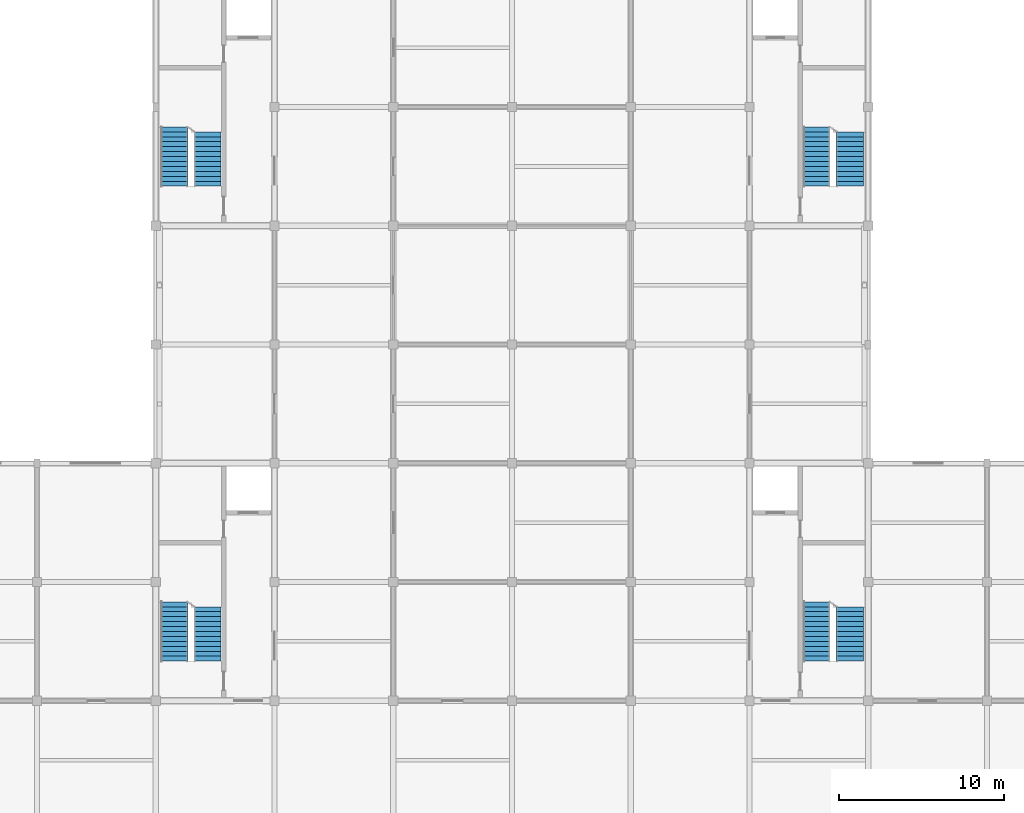
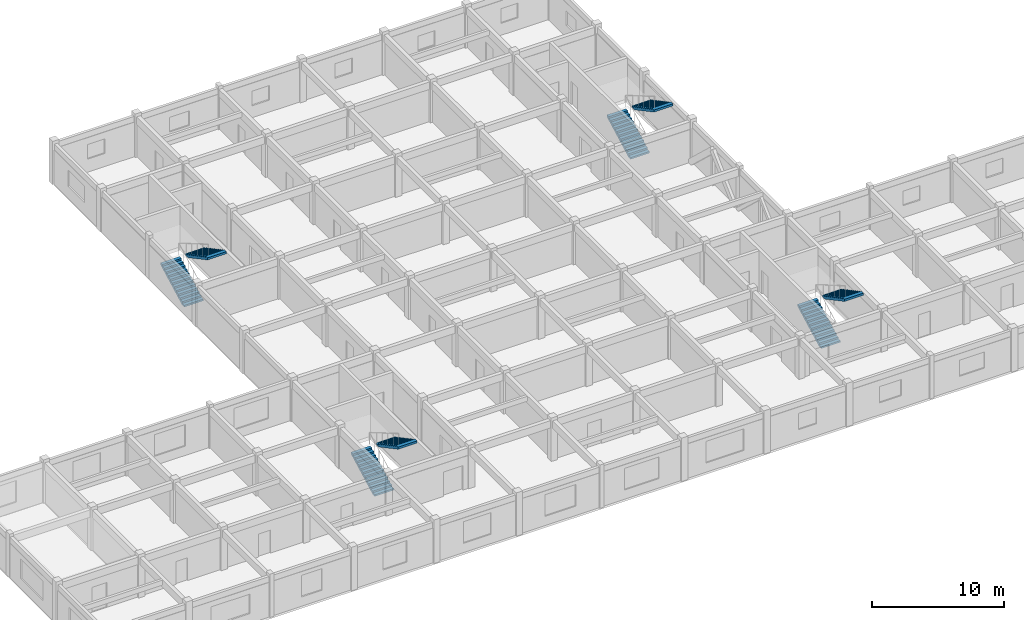
# One storey, part 9 of 10: 8 stair flights, 4 elements without a shape of their own.
"""IFC4 building model written with IfcOpenShell, lengths in metres."""

from ifc_helpers import new_model, si_unit, direction, frame, origin, place, context, subcontext, project, spatial, polyline, outline, extrude, material, type_object, element, aggregate, save


model = new_model("IFC4")

# Units and contexts
model_context = context("Model", 3, precision=1e-05, world=origin(), true_north=direction((0.0, 1.0)))
body_context = subcontext(model_context, "Body", "Model", "MODEL_VIEW")
ifc_project = project(units=[si_unit("LENGTHUNIT", "METRE"), si_unit("AREAUNIT", "SQUARE_METRE"), si_unit("VOLUMEUNIT", "CUBIC_METRE"), si_unit("PLANEANGLEUNIT", "RADIAN"), si_unit("MASSUNIT", "GRAM", prefix="KILO")], contexts=[model_context])

# Site, building, storey
site_placement = place(None, origin())
site = spatial("IfcSite", under=ifc_project, at=site_placement, CompositionType="ELEMENT")
building_placement = place(site_placement, origin())
building = spatial("IfcBuilding", under=site, at=building_placement, Name="Cendaluz Park School", CompositionType="ELEMENT")
storey_placement = place(building_placement, frame((0.0, 0.0, 34.800048828125)))
storey = spatial("IfcBuildingStorey", under=building, at=storey_placement, Name="L08", CompositionType="ELEMENT", Elevation=34.800048828125)

# Stair, stair flight
ifc_material = material(Name="Cross-laminated timber CLT C24", Category="wood")
stair_type = type_object("IfcStairType", Name="ST-400-165", PredefinedType="HALF_TURN_STAIR", material=ifc_material)
stair_1_placement = place(storey_placement, origin())
stair_1 = element("IfcStair", 1, at=stair_1_placement, inside=storey, type_object=stair_type, Name="ST-L08-C1", PredefinedType="HALF_TURN_STAIR")
stair_flight_type_1 = type_object("IfcStairFlightType", Name="SF-12-160-165", PredefinedType="STRAIGHT", material=ifc_material)
stair_flight_1_placement = place(storey_placement, frame((67.93505859375, 20.10009765625, 2.079833984375), z_axis=(0.0, 0.0, 1.0), x_axis=(0.0, -1.0, 0.0)))
stair_flight_1 = element("IfcStairFlight", 2, at=stair_flight_1_placement, type_object=stair_flight_type_1, Name="SF-L08-C1-2", NumberOfRisers=12, NumberOfTreads=11, PredefinedType="STRAIGHT", RiserHeight=0.16, TreadLength=0.3, context=body_context, shape_type="SweptSolid", body=[
    extrude(outline(polyline([(0.0, 0.0), (0.0, 0.159912109375), (0.300048828125, 0.159912109375), (0.300048828125, 0.320068359375), (0.60009765625, 0.320068359375), (0.60009765625, 0.47998046875), (0.89990234375, 0.47998046875), (0.89990234375, 0.639892578125), (1.199951171875, 0.639892578125), (1.199951171875, 0.800048828125), (1.5, 0.800048828125), (1.5, 0.9599609375), (1.800048828125, 0.9599609375), (1.800048828125, 1.1201171875), (2.10009765625, 1.1201171875), (2.10009765625, 1.280029296875), (2.39990234375, 1.280029296875), (2.39990234375, 1.43994140625), (2.699951171875, 1.43994140625), (2.699951171875, 1.60009765625), (3.0, 1.60009765625), (3.0, 1.760009765625), (3.300048828125, 1.760009765625), (3.300048828125, 1.919921875), (3.300048828125, 1.55615234375), (0.38232421875, 0.0), (0.0, 0.0)])), frame((0.0, 0.824951171875, 0.0), z_axis=(0.0, -1.0, 0.0), x_axis=(1.0, 0.0, 0.0)), (0.0, 0.0, 1.0), 1.64990234375),
])

stair_2_placement = place(storey_placement, origin())
stair_2 = element("IfcStair", 3, at=stair_2_placement, inside=storey, type_object=stair_type, Name="ST-L08-C2", PredefinedType="HALF_TURN_STAIR")
stair_flight_2_placement = place(storey_placement, frame((106.885009765625, 20.10009765625, 2.079833984375), z_axis=(0.0, 0.0, 1.0), x_axis=(0.0, -1.0, 0.0)))
stair_flight_2 = element("IfcStairFlight", 4, at=stair_flight_2_placement, type_object=stair_flight_type_1, Name="SF-L08-C2-2", NumberOfRisers=12, NumberOfTreads=11, PredefinedType="STRAIGHT", RiserHeight=0.16, TreadLength=0.3, context=body_context, shape_type="SweptSolid", body=[
    extrude(outline(polyline([(0.0, 0.0), (0.0, 0.159912109375), (0.300048828125, 0.159912109375), (0.300048828125, 0.320068359375), (0.60009765625, 0.320068359375), (0.60009765625, 0.47998046875), (0.89990234375, 0.47998046875), (0.89990234375, 0.639892578125), (1.199951171875, 0.639892578125), (1.199951171875, 0.800048828125), (1.5, 0.800048828125), (1.5, 0.9599609375), (1.800048828125, 0.9599609375), (1.800048828125, 1.1201171875), (2.10009765625, 1.1201171875), (2.10009765625, 1.280029296875), (2.39990234375, 1.280029296875), (2.39990234375, 1.43994140625), (2.699951171875, 1.43994140625), (2.699951171875, 1.60009765625), (3.0, 1.60009765625), (3.0, 1.760009765625), (3.300048828125, 1.760009765625), (3.300048828125, 1.919921875), (3.300048828125, 1.55615234375), (0.38232421875, 0.0), (0.0, 0.0)])), frame((0.0, 0.824951171875, 0.0), z_axis=(0.0, -1.0, 0.0), x_axis=(1.0, 0.0, 0.0)), (0.0, 0.0, 1.0), 1.64990234375),
])

stair_3_placement = place(storey_placement, origin())
stair_3 = element("IfcStair", 5, at=stair_3_placement, inside=storey, type_object=stair_type, Name="ST-L08-C3", PredefinedType="HALF_TURN_STAIR")
stair_flight_3_placement = place(storey_placement, frame((67.93505859375, 48.89990234375, 2.079833984375), z_axis=(0.0, 0.0, 1.0), x_axis=(0.0, -1.0, 0.0)))
stair_flight_3 = element("IfcStairFlight", 6, at=stair_flight_3_placement, type_object=stair_flight_type_1, Name="SF-L08-C3-2", NumberOfRisers=12, NumberOfTreads=11, PredefinedType="STRAIGHT", RiserHeight=0.16, TreadLength=0.3, context=body_context, shape_type="SweptSolid", body=[
    extrude(outline(polyline([(0.0, 0.0), (0.0, 0.159912109375), (0.300048828125, 0.159912109375), (0.300048828125, 0.320068359375), (0.60009765625, 0.320068359375), (0.60009765625, 0.47998046875), (0.89990234375, 0.47998046875), (0.89990234375, 0.639892578125), (1.199951171875, 0.639892578125), (1.199951171875, 0.800048828125), (1.5, 0.800048828125), (1.5, 0.9599609375), (1.800048828125, 0.9599609375), (1.800048828125, 1.1201171875), (2.10009765625, 1.1201171875), (2.10009765625, 1.280029296875), (2.39990234375, 1.280029296875), (2.39990234375, 1.43994140625), (2.699951171875, 1.43994140625), (2.699951171875, 1.60009765625), (3.0, 1.60009765625), (3.0, 1.760009765625), (3.300048828125, 1.760009765625), (3.300048828125, 1.919921875), (3.300048828125, 1.55615234375), (0.38232421875, 0.0), (0.0, 0.0)])), frame((0.0, 0.824951171875, 0.0), z_axis=(0.0, -1.0, 0.0), x_axis=(1.0, 0.0, 0.0)), (0.0, 0.0, 1.0), 1.64990234375),
])

stair_4_placement = place(storey_placement, origin())
stair_4 = element("IfcStair", 7, at=stair_4_placement, inside=storey, type_object=stair_type, Name="ST-L08-C4", PredefinedType="HALF_TURN_STAIR")
stair_flight_4_placement = place(storey_placement, frame((106.885009765625, 48.89990234375, 2.079833984375), z_axis=(0.0, 0.0, 1.0), x_axis=(0.0, -1.0, 0.0)))
stair_flight_4 = element("IfcStairFlight", 8, at=stair_flight_4_placement, type_object=stair_flight_type_1, Name="SF-L08-C4-2", NumberOfRisers=12, NumberOfTreads=11, PredefinedType="STRAIGHT", RiserHeight=0.16, TreadLength=0.3, context=body_context, shape_type="SweptSolid", body=[
    extrude(outline(polyline([(0.0, 0.0), (0.0, 0.159912109375), (0.300048828125, 0.159912109375), (0.300048828125, 0.320068359375), (0.60009765625, 0.320068359375), (0.60009765625, 0.47998046875), (0.89990234375, 0.47998046875), (0.89990234375, 0.639892578125), (1.199951171875, 0.639892578125), (1.199951171875, 0.800048828125), (1.5, 0.800048828125), (1.5, 0.9599609375), (1.800048828125, 0.9599609375), (1.800048828125, 1.1201171875), (2.10009765625, 1.1201171875), (2.10009765625, 1.280029296875), (2.39990234375, 1.280029296875), (2.39990234375, 1.43994140625), (2.699951171875, 1.43994140625), (2.699951171875, 1.60009765625), (3.0, 1.60009765625), (3.0, 1.760009765625), (3.300048828125, 1.760009765625), (3.300048828125, 1.919921875), (3.300048828125, 1.55615234375), (0.38232421875, 0.0), (0.0, 0.0)])), frame((0.0, 0.824951171875, 0.0), z_axis=(0.0, -1.0, 0.0), x_axis=(1.0, 0.0, 0.0)), (0.0, 0.0, 1.0), 1.64990234375),
])

# Stair flight
stair_flight_type_2 = type_object("IfcStairFlightType", Name="SF-13-160-165", PredefinedType="STRAIGHT", material=ifc_material)
stair_flight_5_placement = place(storey_placement, frame((65.9150390625, 16.800048828125, 0.0), z_axis=(0.0, 0.0, 1.0), x_axis=(0.0, 1.0, 0.0)))
stair_flight_5 = element("IfcStairFlight", 9, at=stair_flight_5_placement, type_object=stair_flight_type_2, Name="SF-L08-C1-1", NumberOfRisers=13, NumberOfTreads=12, PredefinedType="STRAIGHT", RiserHeight=0.16, TreadLength=0.3, context=body_context, shape_type="SweptSolid", body=[
    extrude(outline(polyline([(0.0, 0.0), (0.0, 0.159912109375), (0.300048828125, 0.159912109375), (0.300048828125, 0.320068359375), (0.60009765625, 0.320068359375), (0.60009765625, 0.47998046875), (0.89990234375, 0.47998046875), (0.89990234375, 0.639892578125), (1.199951171875, 0.639892578125), (1.199951171875, 0.800048828125), (1.5, 0.800048828125), (1.5, 0.9599609375), (1.800048828125, 0.9599609375), (1.800048828125, 1.1201171875), (2.10009765625, 1.1201171875), (2.10009765625, 1.280029296875), (2.39990234375, 1.280029296875), (2.39990234375, 1.43994140625), (2.699951171875, 1.43994140625), (2.699951171875, 1.60009765625), (3.0, 1.60009765625), (3.0, 1.760009765625), (3.300048828125, 1.760009765625), (3.300048828125, 1.919921875), (3.60009765625, 1.919921875), (3.60009765625, 2.080078125), (3.60009765625, 1.716064453125), (0.38232421875, 0.0), (0.0, 0.0)])), frame((0.0, 0.824951171875, 0.0), z_axis=(0.0, -1.0, 0.0), x_axis=(1.0, 0.0, 0.0)), (0.0, 0.0, 1.0), 1.64990234375),
])

aggregate(stair_1, [stair_flight_5, stair_flight_1])

stair_flight_6_placement = place(storey_placement, frame((104.864990234375, 16.800048828125, 0.0), z_axis=(0.0, 0.0, 1.0), x_axis=(0.0, 1.0, 0.0)))
stair_flight_6 = element("IfcStairFlight", 10, at=stair_flight_6_placement, type_object=stair_flight_type_2, Name="SF-L08-C2-1", NumberOfRisers=13, NumberOfTreads=12, PredefinedType="STRAIGHT", RiserHeight=0.16, TreadLength=0.3, context=body_context, shape_type="SweptSolid", body=[
    extrude(outline(polyline([(0.0, 0.0), (0.0, 0.159912109375), (0.300048828125, 0.159912109375), (0.300048828125, 0.320068359375), (0.60009765625, 0.320068359375), (0.60009765625, 0.47998046875), (0.89990234375, 0.47998046875), (0.89990234375, 0.639892578125), (1.199951171875, 0.639892578125), (1.199951171875, 0.800048828125), (1.5, 0.800048828125), (1.5, 0.9599609375), (1.800048828125, 0.9599609375), (1.800048828125, 1.1201171875), (2.10009765625, 1.1201171875), (2.10009765625, 1.280029296875), (2.39990234375, 1.280029296875), (2.39990234375, 1.43994140625), (2.699951171875, 1.43994140625), (2.699951171875, 1.60009765625), (3.0, 1.60009765625), (3.0, 1.760009765625), (3.300048828125, 1.760009765625), (3.300048828125, 1.919921875), (3.60009765625, 1.919921875), (3.60009765625, 2.080078125), (3.60009765625, 1.716064453125), (0.38232421875, 0.0), (0.0, 0.0)])), frame((0.0, 0.824951171875, 0.0), z_axis=(0.0, -1.0, 0.0), x_axis=(1.0, 0.0, 0.0)), (0.0, 0.0, 1.0), 1.64990234375),
])

aggregate(stair_2, [stair_flight_6, stair_flight_2])

stair_flight_7_placement = place(storey_placement, frame((65.9150390625, 45.60009765625, 0.0), z_axis=(0.0, 0.0, 1.0), x_axis=(0.0, 1.0, 0.0)))
stair_flight_7 = element("IfcStairFlight", 11, at=stair_flight_7_placement, type_object=stair_flight_type_2, Name="SF-L08-C3-1", NumberOfRisers=13, NumberOfTreads=12, PredefinedType="STRAIGHT", RiserHeight=0.16, TreadLength=0.3, context=body_context, shape_type="SweptSolid", body=[
    extrude(outline(polyline([(0.0, 0.0), (0.0, 0.159912109375), (0.300048828125, 0.159912109375), (0.300048828125, 0.320068359375), (0.60009765625, 0.320068359375), (0.60009765625, 0.47998046875), (0.89990234375, 0.47998046875), (0.89990234375, 0.639892578125), (1.199951171875, 0.639892578125), (1.199951171875, 0.800048828125), (1.5, 0.800048828125), (1.5, 0.9599609375), (1.800048828125, 0.9599609375), (1.800048828125, 1.1201171875), (2.10009765625, 1.1201171875), (2.10009765625, 1.280029296875), (2.39990234375, 1.280029296875), (2.39990234375, 1.43994140625), (2.699951171875, 1.43994140625), (2.699951171875, 1.60009765625), (3.0, 1.60009765625), (3.0, 1.760009765625), (3.300048828125, 1.760009765625), (3.300048828125, 1.919921875), (3.60009765625, 1.919921875), (3.60009765625, 2.080078125), (3.60009765625, 1.716064453125), (0.38232421875, 0.0), (0.0, 0.0)])), frame((0.0, 0.824951171875, 0.0), z_axis=(0.0, -1.0, 0.0), x_axis=(1.0, 0.0, 0.0)), (0.0, 0.0, 1.0), 1.64990234375),
])

aggregate(stair_3, [stair_flight_7, stair_flight_3])

stair_flight_8_placement = place(storey_placement, frame((104.864990234375, 45.60009765625, 0.0), z_axis=(0.0, 0.0, 1.0), x_axis=(0.0, 1.0, 0.0)))
stair_flight_8 = element("IfcStairFlight", 12, at=stair_flight_8_placement, type_object=stair_flight_type_2, Name="SF-L08-C4-1", NumberOfRisers=13, NumberOfTreads=12, PredefinedType="STRAIGHT", RiserHeight=0.16, TreadLength=0.3, context=body_context, shape_type="SweptSolid", body=[
    extrude(outline(polyline([(0.0, 0.0), (0.0, 0.159912109375), (0.300048828125, 0.159912109375), (0.300048828125, 0.320068359375), (0.60009765625, 0.320068359375), (0.60009765625, 0.47998046875), (0.89990234375, 0.47998046875), (0.89990234375, 0.639892578125), (1.199951171875, 0.639892578125), (1.199951171875, 0.800048828125), (1.5, 0.800048828125), (1.5, 0.9599609375), (1.800048828125, 0.9599609375), (1.800048828125, 1.1201171875), (2.10009765625, 1.1201171875), (2.10009765625, 1.280029296875), (2.39990234375, 1.280029296875), (2.39990234375, 1.43994140625), (2.699951171875, 1.43994140625), (2.699951171875, 1.60009765625), (3.0, 1.60009765625), (3.0, 1.760009765625), (3.300048828125, 1.760009765625), (3.300048828125, 1.919921875), (3.60009765625, 1.919921875), (3.60009765625, 2.080078125), (3.60009765625, 1.716064453125), (0.38232421875, 0.0), (0.0, 0.0)])), frame((0.0, 0.824951171875, 0.0), z_axis=(0.0, -1.0, 0.0), x_axis=(1.0, 0.0, 0.0)), (0.0, 0.0, 1.0), 1.64990234375),
])

aggregate(stair_4, [stair_flight_8, stair_flight_4])

save(model, "model.ifc")
